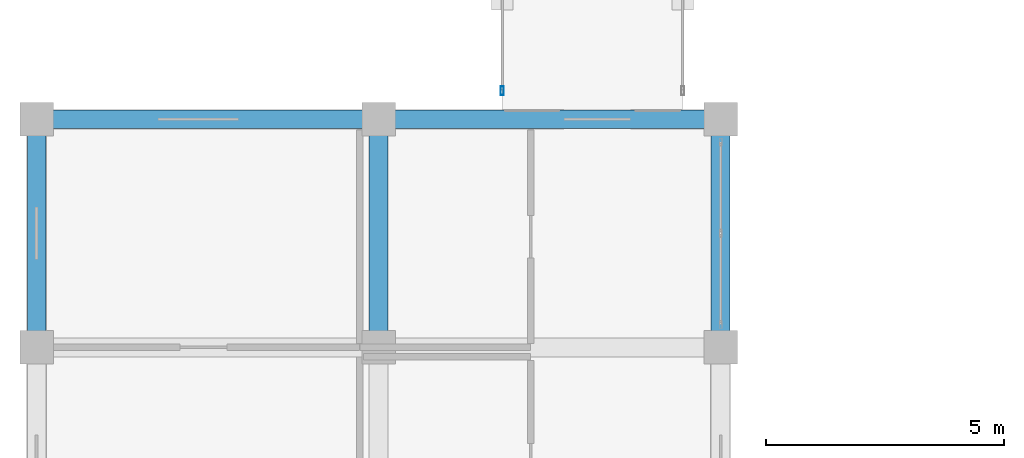
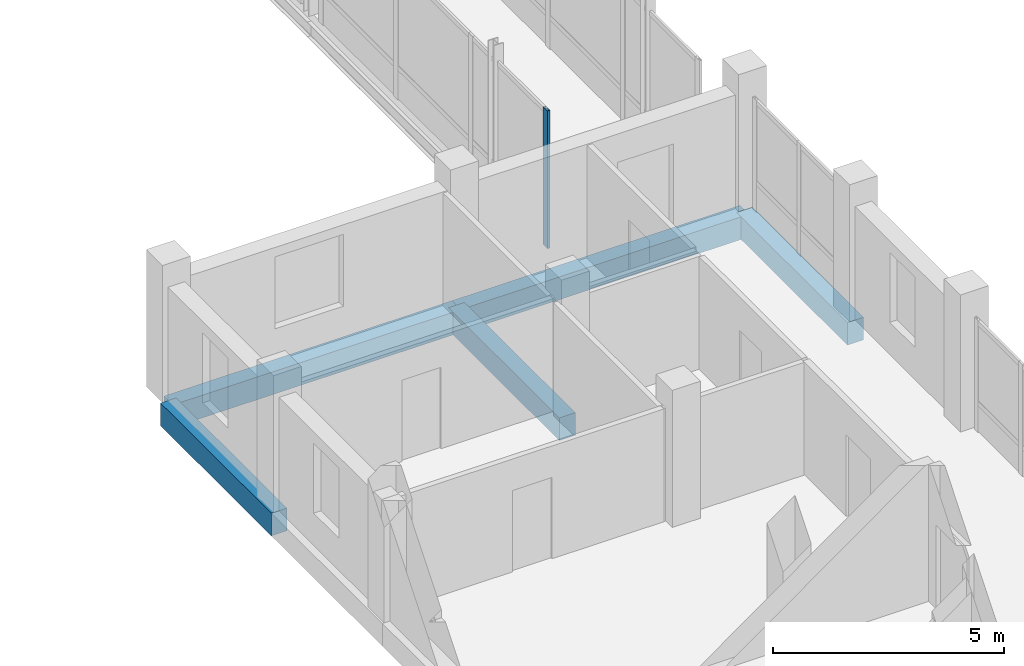
# One storey, part 30 of 128: 5 beams, 1 member, 1 element without a shape of its own.
"""IFC4 building model written with IfcOpenShell, lengths in metres."""

from ifc_helpers import new_model, si_unit, direction, frame, origin, origin_2d, place, context, subcontext, project, spatial, rectangle, hollow_rectangle, extrude, material, material_profile, profile_set, type_object, element, aggregate, save


model = new_model("IFC4")

# Units and contexts
model_context = context("Model", 3, precision=1e-05, world=origin(), true_north=direction((0.0, 1.0)))
body_context = subcontext(model_context, "Body", "Model", "MODEL_VIEW")
ifc_project = project(units=[si_unit("LENGTHUNIT", "METRE"), si_unit("AREAUNIT", "SQUARE_METRE"), si_unit("VOLUMEUNIT", "CUBIC_METRE"), si_unit("PLANEANGLEUNIT", "RADIAN"), si_unit("MASSUNIT", "GRAM", prefix="KILO")], contexts=[model_context])

# Site, building, storey
site_placement = place(None, origin())
site = spatial("IfcSite", under=ifc_project, at=site_placement, CompositionType="ELEMENT")
building_placement = place(site_placement, origin())
building = spatial("IfcBuilding", under=site, at=building_placement, Name="Zornivar Specialist Clinic", CompositionType="ELEMENT")
storey_placement = place(building_placement, frame((0.0, 0.0, 4.5)))
storey = spatial("IfcBuildingStorey", under=building, at=storey_placement, Name="L01", CompositionType="ELEMENT", Elevation=4.5)

# Beams
ifc_material_1 = material(Name="Concrete C30/37", Category="concrete")
ifc_material_profile_1 = material_profile(ifc_material_1, rectangle(XDim=0.39990234375, YDim=0.60009765625, at=origin_2d()), Name="RC 400x600")
ifc_profile_set_1 = profile_set([ifc_material_profile_1], Name="Concrete C30/37")
beam_type_1 = type_object("IfcBeamType", Name="BM-RC-400x600", PredefinedType="BEAM", material=ifc_profile_set_1)
for number, where, z_axis, x_axis, name in (
    (1, (7.199951171875, 52.800048828125, -0.580078125), (0.0, 1.0, 0.0), (-1.0, 0.0, 0.0), "bm:V2:L01:y:72:8"),
    (2, (14.39990234375, 52.800048828125, -0.580078125), (0.0, 1.0, 0.0), (-1.0, 0.0, 0.0), "bm:V2:L01:y:144:8"),
):
    element("IfcBeam", number, at=place(storey_placement, frame(where, z_axis=z_axis, x_axis=x_axis)), inside=storey, type_object=beam_type_1, Name=name, PredefinedType="BEAM", context=body_context, shape_type="SweptSolid", body=[
        extrude(rectangle(XDim=0.39990234375, YDim=0.60009765625, at=origin_2d()), origin(), (0.0, 0.0, 1.0), 4.800048828125),
    ])
ifc_material_2 = material(Name="Concrete C30/37", Category="concrete")
ifc_material_profile_2 = material_profile(ifc_material_2, rectangle(XDim=0.389892578125, YDim=0.60009765625, at=origin_2d()), Name="RC 390x600")
ifc_profile_set_2 = profile_set([ifc_material_profile_2], Name="Concrete C30/37")
beam_type_2 = type_object("IfcBeamType", Name="BM-RC-SPANDREL-390x600", PredefinedType="SPANDREL", material=ifc_profile_set_2)
for number, where, z_axis, x_axis, name in (
    (3, (0.0, 57.60009765625, -0.580078125), (1.0, 0.0, 0.0), (0.0, 1.0, 0.0), "bm:V2:L01:x:576:0"),
    (4, (7.199951171875, 57.60009765625, -0.580078125), (1.0, 0.0, 0.0), (0.0, 1.0, 0.0), "bm:V2:L01:x:576:1"),
):
    element("IfcBeam", number, at=place(storey_placement, frame(where, z_axis=z_axis, x_axis=x_axis)), inside=storey, type_object=beam_type_2, Name=name, PredefinedType="SPANDREL", context=body_context, shape_type="SweptSolid", body=[
        extrude(rectangle(XDim=0.389892578125, YDim=0.60009765625, at=origin_2d()), origin(), (0.0, 0.0, 1.0), 7.199951171875),
    ])
beam_placement = place(storey_placement, frame((0.0, 52.800048828125, -0.580078125), z_axis=(0.0, 1.0, 0.0), x_axis=(-1.0, 0.0, 0.0)))
element("IfcBeam", 5, at=beam_placement, inside=storey, type_object=beam_type_2, Name="bm:V2:L01:y:0:8", PredefinedType="SPANDREL", context=body_context, shape_type="SweptSolid", body=[
    extrude(rectangle(XDim=0.389892578125, YDim=0.60009765625, at=origin_2d()), origin(), (0.0, 0.0, 1.0), 4.800048828125),
])

# Curtain wall, member
ifc_material_3 = material(Name="Aluminium and Low-E Glass Curtain Wall", Category="aluminium")
curtain_wall_type = type_object("IfcCurtainWallType", Name="CW-BRIDGE-LINK", PredefinedType="NOTDEFINED", material=ifc_material_3)
curtain_wall_placement = place(storey_placement, origin())
curtain_wall = element("IfcCurtainWall", 6, at=curtain_wall_placement, inside=storey, type_object=curtain_wall_type, Name="cw:BR2:L01:W:0", PredefinedType="NOTDEFINED")
ifc_material_4 = material(Name="Aluminium AW-6060", Category="aluminium")
ifc_material_profile_3 = material_profile(ifc_material_4, hollow_rectangle(XDim=0.06494140625, YDim=0.18505859375, WallThickness=0.00439453125, at=origin_2d()), Name="ALU 65x185x4.5")
ifc_profile_set_3 = profile_set([ifc_material_profile_3], Name="Aluminium AW-6060")
member_type = type_object("IfcMemberType", Name="CWM-MUL-185", PredefinedType="MULLION", material=ifc_profile_set_3)
member_placement = place(storey_placement, frame((9.800048828125, 58.199951171875, 0.0), z_axis=(0.0, 0.0, 1.0), x_axis=(1.0, 0.0, 0.0)))
member = element("IfcMember", 7, at=member_placement, type_object=member_type, Name="cw:BR2:L01:W:0:mul:0", PredefinedType="MULLION", context=body_context, shape_type="SweptSolid", body=[
    extrude(hollow_rectangle(XDim=0.06494140625, YDim=0.18505859375, WallThickness=0.00439453125, at=origin_2d()), origin(), (0.0, 0.0, 1.0), 3.639892578125),
])
aggregate(curtain_wall, [member])

save(model, "model.ifc")
